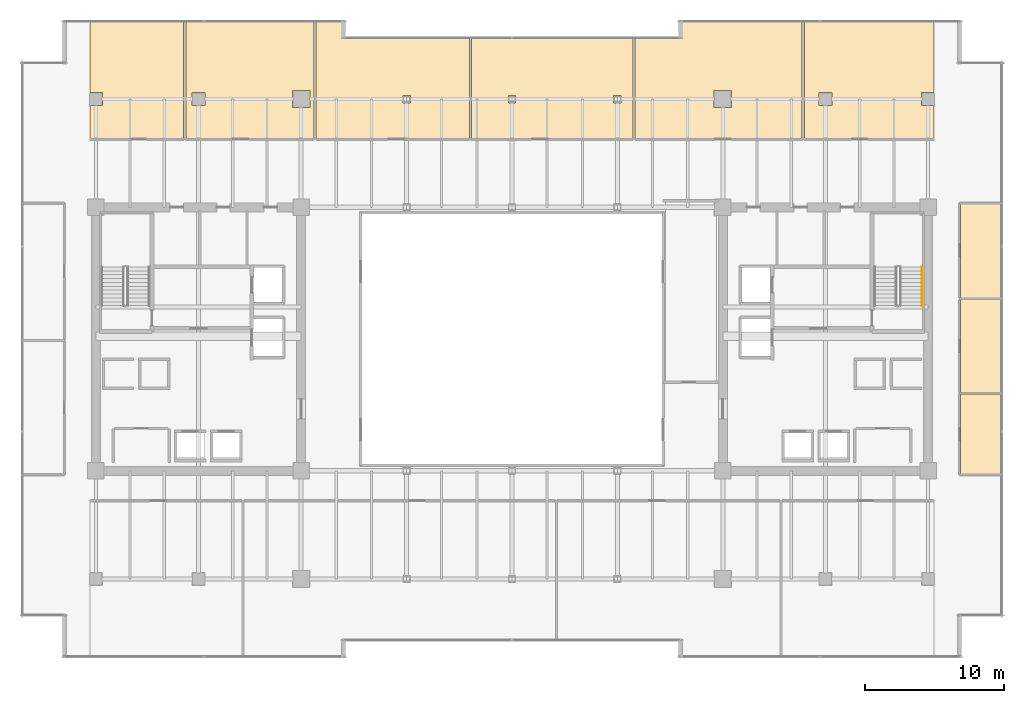
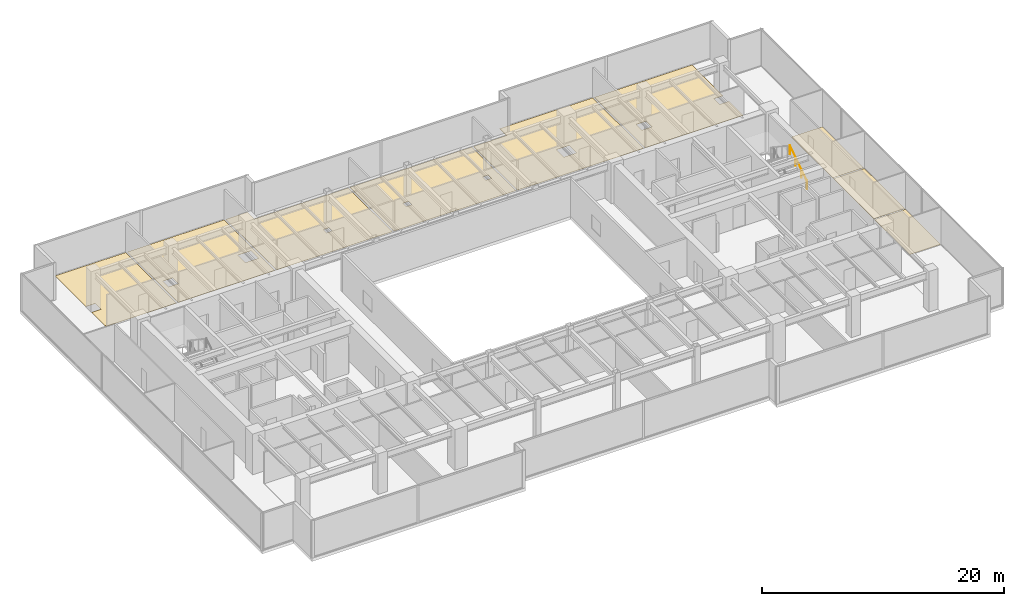
# One storey, part 33 of 33: 9 coverings, 1 railing.
"""IFC4 building model written with IfcOpenShell, lengths in metres."""

from ifc_helpers import new_model, si_unit, direction, frame, origin, origin_2d, place, context, subcontext, project, spatial, polyline, circle, outline, extrude, source, transform, mapped, material, layer, layer_set, type_object, type_shapes, element, save


model = new_model("IFC4")

# Units and contexts
model_context = context("Model", 3, precision=1e-05, world=origin(), true_north=direction((0.0, 1.0)))
body_context = subcontext(model_context, "Body", "Model", "MODEL_VIEW")
ifc_project = project(units=[si_unit("LENGTHUNIT", "METRE"), si_unit("AREAUNIT", "SQUARE_METRE"), si_unit("VOLUMEUNIT", "CUBIC_METRE"), si_unit("PLANEANGLEUNIT", "RADIAN"), si_unit("MASSUNIT", "GRAM", prefix="KILO")], contexts=[model_context])

# Site, building, storey
site_placement = place(None, origin())
site = spatial("IfcSite", under=ifc_project, at=site_placement, CompositionType="ELEMENT")
building_placement = place(site_placement, origin())
building = spatial("IfcBuilding", under=site, at=building_placement, Name="Haelvirn Gate Laboratories", CompositionType="ELEMENT")
storey_placement = place(building_placement, frame((0.0, 0.0, 166.60009765625)))
storey = spatial("IfcBuildingStorey", under=building, at=storey_placement, Name="L40", CompositionType="ELEMENT", Elevation=166.60009765625)

# Coverings
ifc_material_1 = material(Name="Seamless chemical-resistant epoxy laboratory flooring")
ifc_layer = layer(ifc_material_1, 0.01806640625, Name="COV-FLR-RESIN")
ifc_layer_set = layer_set([ifc_layer], Name="Seamless chemical-resistant epoxy laboratory flooring")
covering_type = type_object("IfcCoveringType", Name="COV-FLR-RESIN", PredefinedType="FLOORING", material=ifc_layer_set)
covering_1_placement = place(storey_placement, origin())
element("IfcCovering", 1, at=covering_1_placement, inside=storey, type_object=covering_type, Name="L40 Seamless Laboratory Flooring FLR-SP-L40-N-01", PredefinedType="FLOORING", context=body_context, shape_type="SweptSolid", body=[
    extrude(outline(polyline([(7.8701171875, 41.1298828125), (7.8701171875, 42.070068359375), (6.97998046875, 42.070068359375), (6.97998046875, 47.18994140625), (13.719970703125, 47.18994140625), (13.719970703125, 38.77490234375), (6.97998046875, 38.77490234375), (6.97998046875, 41.1298828125), (7.8701171875, 41.1298828125)])), origin(), (0.0, 0.0, 1.0), 0.017822265625),
])
covering_2_placement = place(storey_placement, origin())
element("IfcCovering", 2, at=covering_2_placement, inside=storey, type_object=covering_type, Name="L40 Seamless Laboratory Flooring FLR-SP-L40-N-02", PredefinedType="FLOORING", context=body_context, shape_type="SweptSolid", body=[
    extrude(outline(polyline([(23.1201171875, 38.77490234375), (13.8798828125, 38.77490234375), (13.8798828125, 47.18994140625), (23.1201171875, 47.18994140625), (23.1201171875, 38.77490234375)]), holes=[polyline([(14.330078125, 41.1298828125), (15.27001953125, 41.1298828125), (15.27001953125, 42.070068359375), (14.330078125, 42.070068359375), (14.330078125, 41.1298828125)]), polyline([(21.580078125, 42.219970703125), (21.580078125, 40.97998046875), (22.820068359375, 40.97998046875), (22.820068359375, 42.219970703125), (21.580078125, 42.219970703125)])]), origin(), (0.0, 0.0, 1.0), 0.017822265625),
])
covering_3_placement = place(storey_placement, origin())
element("IfcCovering", 3, at=covering_3_placement, inside=storey, type_object=covering_type, Name="L40 Seamless Laboratory Flooring FLR-SP-L40-N-03", PredefinedType="FLOORING", context=body_context, shape_type="SweptSolid", body=[
    extrude(outline(polyline([(23.280029296875, 47.18994140625), (25.360107421875, 47.18994140625), (25.360107421875, 46.10009765625), (25.360107421875, 46.09619140625), (25.36083984375, 46.09228515625), (25.36181640625, 46.08837890625), (25.363037109375, 46.084716796875), (25.36474609375, 46.0810546875), (25.36669921875, 46.077880859375), (25.369140625, 46.07470703125), (25.37158203125, 46.07177734375), (25.37451171875, 46.069091796875), (25.377685546875, 46.066650390625), (25.381103515625, 46.064697265625), (25.384765625, 46.06298828125), (25.388427734375, 46.061767578125), (25.39208984375, 46.060791015625), (25.39599609375, 46.060302734375), (25.39990234375, 46.06005859375), (34.320068359375, 46.06005859375), (34.320068359375, 38.77490234375), (23.280029296875, 38.77490234375), (23.280029296875, 47.18994140625)]), holes=[polyline([(29.530029296875, 41.8701171875), (29.530029296875, 41.330078125), (30.070068359375, 41.330078125), (30.070068359375, 41.8701171875), (29.530029296875, 41.8701171875)])]), origin(), (0.0, 0.0, 1.0), 0.017822265625),
])
covering_4_placement = place(storey_placement, origin())
element("IfcCovering", 4, at=covering_4_placement, inside=storey, type_object=covering_type, Name="L40 Seamless Laboratory Flooring FLR-SP-L40-N-04", PredefinedType="FLOORING", context=body_context, shape_type="SweptSolid", body=[
    extrude(outline(polyline([(46.1201171875, 46.06005859375), (46.1201171875, 38.77490234375), (34.47998046875, 38.77490234375), (34.47998046875, 46.06005859375), (46.1201171875, 46.06005859375)]), holes=[polyline([(37.1298828125, 41.330078125), (37.669921875, 41.330078125), (37.669921875, 41.8701171875), (37.1298828125, 41.8701171875), (37.1298828125, 41.330078125)]), polyline([(44.72998046875, 41.8701171875), (44.72998046875, 41.330078125), (45.27001953125, 41.330078125), (45.27001953125, 41.8701171875), (44.72998046875, 41.8701171875)])]), origin(), (0.0, 0.0, 1.0), 0.017822265625),
])
covering_5_placement = place(storey_placement, origin())
element("IfcCovering", 5, at=covering_5_placement, inside=storey, type_object=covering_type, Name="L40 Seamless Laboratory Flooring FLR-SP-L40-N-05", PredefinedType="FLOORING", context=body_context, shape_type="SweptSolid", body=[
    extrude(outline(polyline([(46.280029296875, 38.77490234375), (46.280029296875, 46.06005859375), (49.39990234375, 46.06005859375), (49.40380859375, 46.060302734375), (49.40771484375, 46.060791015625), (49.41162109375, 46.061767578125), (49.415283203125, 46.06298828125), (49.4189453125, 46.064697265625), (49.422119140625, 46.066650390625), (49.42529296875, 46.069091796875), (49.42822265625, 46.07177734375), (49.430908203125, 46.07470703125), (49.433349609375, 46.077880859375), (49.435302734375, 46.0810546875), (49.43701171875, 46.084716796875), (49.438232421875, 46.08837890625), (49.439208984375, 46.09228515625), (49.439697265625, 46.09619140625), (49.43994140625, 46.10009765625), (49.43994140625, 47.18994140625), (58.320068359375, 47.18994140625), (58.320068359375, 38.77490234375), (46.280029296875, 38.77490234375)]), holes=[polyline([(51.97998046875, 42.219970703125), (51.97998046875, 40.97998046875), (53.219970703125, 40.97998046875), (53.219970703125, 42.219970703125), (51.97998046875, 42.219970703125)])]), origin(), (0.0, 0.0, 1.0), 0.017822265625),
])
covering_6_placement = place(storey_placement, origin())
element("IfcCovering", 6, at=covering_6_placement, inside=storey, type_object=covering_type, Name="L40 Seamless Laboratory Flooring FLR-SP-L40-N-06", PredefinedType="FLOORING", context=body_context, shape_type="SweptSolid", body=[
    extrude(outline(polyline([(67.820068359375, 42.070068359375), (66.929931640625, 42.070068359375), (66.929931640625, 41.1298828125), (67.820068359375, 41.1298828125), (67.820068359375, 38.77490234375), (58.47998046875, 38.77490234375), (58.47998046875, 47.18994140625), (67.820068359375, 47.18994140625), (67.820068359375, 42.070068359375)]), holes=[polyline([(59.530029296875, 41.1298828125), (60.469970703125, 41.1298828125), (60.469970703125, 42.070068359375), (59.530029296875, 42.070068359375), (59.530029296875, 41.1298828125)])]), origin(), (0.0, 0.0, 1.0), 0.017822265625),
])
covering_7_placement = place(storey_placement, origin())
element("IfcCovering", 7, at=covering_7_placement, inside=storey, type_object=covering_type, Name="L40 Seamless Laboratory Flooring FLR-SP-L40-ECELL-01", PredefinedType="FLOORING", context=body_context, shape_type="SweptSolid", body=[
    extrude(outline(polyline([(69.739990234375, 20.340087890625), (72.68994140625, 20.340087890625), (72.68994140625, 14.514892578125), (69.739990234375, 14.514892578125), (69.739990234375, 20.340087890625)])), origin(), (0.0, 0.0, 1.0), 0.017822265625),
])
covering_8_placement = place(storey_placement, origin())
element("IfcCovering", 8, at=covering_8_placement, inside=storey, type_object=covering_type, Name="L40 Seamless Laboratory Flooring FLR-SP-L40-ECELL-02", PredefinedType="FLOORING", context=body_context, shape_type="SweptSolid", body=[
    extrude(outline(polyline([(69.739990234375, 27.139892578125), (72.68994140625, 27.139892578125), (72.68994140625, 20.4599609375), (69.739990234375, 20.4599609375), (69.739990234375, 27.139892578125)])), origin(), (0.0, 0.0, 1.0), 0.017822265625),
])
covering_9_placement = place(storey_placement, origin())
element("IfcCovering", 9, at=covering_9_placement, inside=storey, type_object=covering_type, Name="L40 Seamless Laboratory Flooring FLR-SP-L40-ECELL-03", PredefinedType="FLOORING", context=body_context, shape_type="SweptSolid", body=[
    extrude(outline(polyline([(69.739990234375, 34.0849609375), (72.68994140625, 34.0849609375), (72.68994140625, 27.260009765625), (69.739990234375, 27.260009765625), (69.739990234375, 34.0849609375)])), origin(), (0.0, 0.0, 1.0), 0.017822265625),
])

# Railing
ifc_material_2 = material(Name="Brushed stainless steel 316L", Category="steel")
railing_type = type_object("IfcRailingType", Name="RL-HAND-920", PredefinedType="HANDRAIL", material=ifc_material_2)
shared_shape = source(origin(), body_context, "Body", "SweptSolid", [
    extrude(circle(Radius=0.02392578125, at=origin_2d()), frame((0.0, 0.0, 0.8759765625), z_axis=(0.0, 0.832485552168, 0.554046753832), x_axis=(-1.0, 0.0, 0.0)), (0.0, 0.0, 1.0), 3.363525390625),
    extrude(circle(Radius=0.02099609375, at=origin_2d()), origin(), (0.0, 0.0, 1.0), 0.851806640625),
    extrude(circle(Radius=0.02099609375, at=origin_2d()), frame((0.0, 0.933349609375, 0.62109375)), (0.0, 0.0, 1.0), 0.851806640625),
    extrude(circle(Radius=0.02099609375, at=origin_2d()), frame((0.0, 1.86669921875, 1.242431640625)), (0.0, 0.0, 1.0), 0.851806640625),
    extrude(circle(Radius=0.02099609375, at=origin_2d()), frame((0.0, 2.800048828125, 1.863525390625)), (0.0, 0.0, 1.0), 0.851806640625),
])
type_shapes(railing_type, [shared_shape])
railing_placement = place(storey_placement, frame((66.949951171875, 26.699951171875, 0.186279296875)))
element("IfcRailing", 10, at=railing_placement, inside=storey, type_object=railing_type, Name="L40 ST2 stair handrail 1", PredefinedType="HANDRAIL", context=body_context, shape_type="MappedRepresentation", body=[
    mapped(shared_shape, transform((0.0, 0.0, 0.0), scale=1.0)),
])

save(model, "model.ifc")
